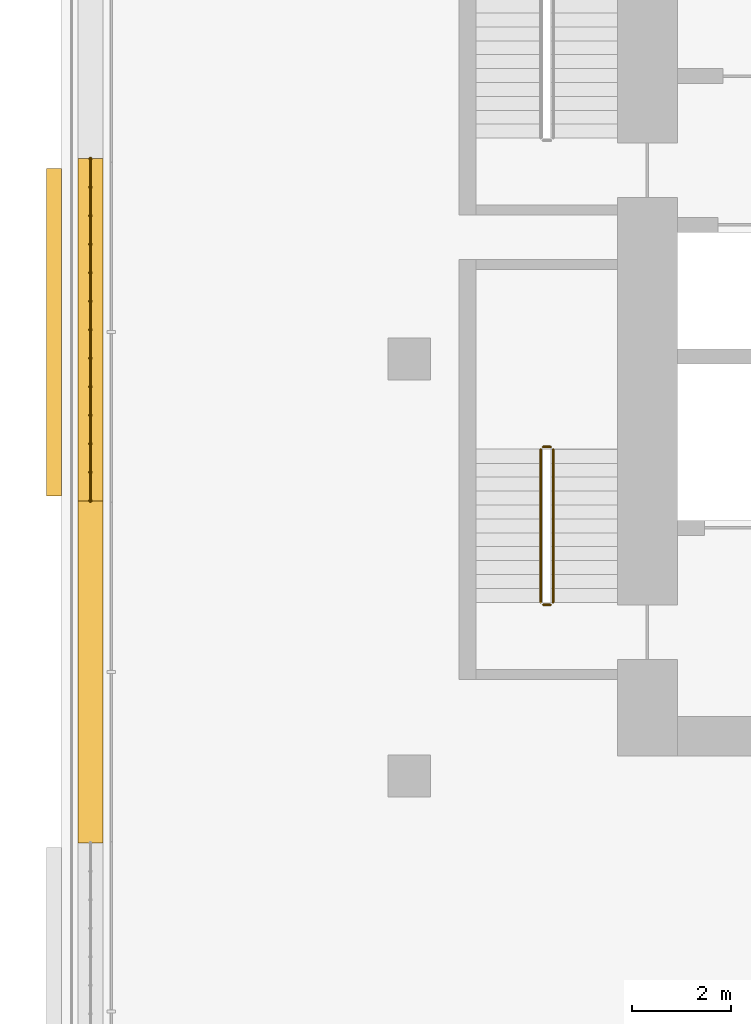
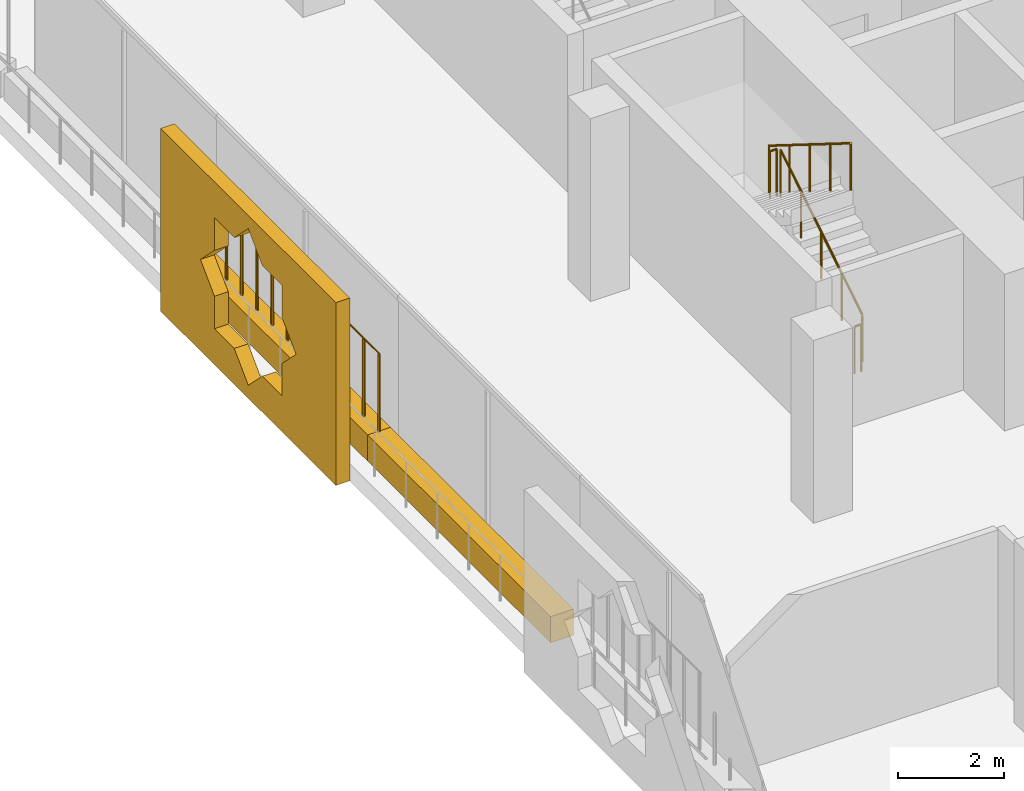
# One storey, part 15 of 21: 5 railings, 3 coverings.
"""IFC4 building model written with IfcOpenShell, lengths in metres."""

from ifc_helpers import new_model, si_unit, direction, frame, origin, origin_2d, place, context, subcontext, project, spatial, polyline, rectangle, circle, outline, extrude, material, material_profile, profile_set, type_object, element, save


model = new_model("IFC4")

# Units and contexts
model_context = context("Model", 3, precision=1e-05, world=origin(), true_north=direction((0.0, 1.0)))
body_context = subcontext(model_context, "Body", "Model", "MODEL_VIEW")
ifc_project = project(units=[si_unit("LENGTHUNIT", "METRE"), si_unit("AREAUNIT", "SQUARE_METRE"), si_unit("VOLUMEUNIT", "CUBIC_METRE"), si_unit("PLANEANGLEUNIT", "RADIAN"), si_unit("MASSUNIT", "GRAM", prefix="KILO")], contexts=[model_context])

# Site, building, storey
site_placement = place(None, origin())
site = spatial("IfcSite", under=ifc_project, at=site_placement, CompositionType="ELEMENT")
building_placement = place(site_placement, origin())
building = spatial("IfcBuilding", under=site, at=building_placement, Name="Kawkab Arch Medical Tower", CompositionType="ELEMENT")
storey_placement = place(building_placement, frame((0.0, 0.0, 260.0)))
storey = spatial("IfcBuildingStorey", under=building, at=storey_placement, Name="L60", CompositionType="ELEMENT", Elevation=260.0)

# Coverings
ifc_material_1 = material(Name="Bronze anodised aluminium mashrabiya panel, eight-point star pattern", Category="aluminium")
ifc_material_profile_1 = material_profile(ifc_material_1, outline(polyline([(-3.300048828125, -2.10009765625), (3.300048828125, -2.10009765625), (3.300048828125, 2.10009765625), (-3.300048828125, 2.10009765625), (-3.300048828125, -2.10009765625)]), holes=[polyline([(1.800048828125, 0.0), (1.272705078125, 0.527099609375), (1.272705078125, 1.272705078125), (0.527099609375, 1.272705078125), (0.0, 1.800048828125), (-0.527099609375, 1.272705078125), (-1.272705078125, 1.272705078125), (-1.272705078125, 0.527099609375), (-1.800048828125, 0.0), (-1.272705078125, -0.527099609375), (-1.272705078125, -1.272705078125), (-0.527099609375, -1.272705078125), (0.0, -1.800048828125), (0.527099609375, -1.272705078125), (1.272705078125, -1.272705078125), (1.272705078125, -0.527099609375), (1.800048828125, 0.0)])]), Name="Mashrabiya panel 6600x4200")
ifc_profile_set_1 = profile_set([ifc_material_profile_1], Name="Bronze anodised aluminium mashrabiya panel, eight-point star pattern")
covering_type_1 = type_object("IfcCoveringType", Name="Mashrabiya panel 6600 x 4200", PredefinedType="USERDEFINED", material=ifc_profile_set_1)
covering_1_placement = place(storey_placement, frame((-7.0, -16.259033203125, 1.699951171875), z_axis=(-1.0, 0.0, 0.0), x_axis=(0.0, -1.0, 0.0)))
element("IfcCovering", 1, at=covering_1_placement, inside=storey, type_object=covering_type_1, Name="Mashrabiya panel L60.LOG-01-01.4", ObjectType="SCREEN", PredefinedType="USERDEFINED", context=body_context, shape_type="SweptSolid", body=[
    extrude(outline(polyline([(-3.300048828125, -2.10009765625), (3.300048828125, -2.10009765625), (3.300048828125, 2.10009765625), (-3.300048828125, 2.10009765625), (-3.300048828125, -2.10009765625)]), holes=[polyline([(1.800048828125, 0.0), (1.272705078125, 0.527099609375), (1.272705078125, 1.272705078125), (0.527099609375, 1.272705078125), (0.0, 1.800048828125), (-0.527099609375, 1.272705078125), (-1.272705078125, 1.272705078125), (-1.272705078125, 0.527099609375), (-1.800048828125, 0.0), (-1.272705078125, -0.527099609375), (-1.272705078125, -1.272705078125), (-0.527099609375, -1.272705078125), (0.0, -1.800048828125), (0.527099609375, -1.272705078125), (1.272705078125, -1.272705078125), (1.272705078125, -0.527099609375), (1.800048828125, 0.0)])]), origin(), (0.0, 0.0, 1.0), 0.300048828125),
])
ifc_material_2 = material(Name="Planting soil in a precast trough", Category="concrete")
ifc_material_profile_2 = material_profile(ifc_material_2, rectangle(XDim=0.5, YDim=0.60009765625, at=origin_2d()), Name="Trough 500x600")
ifc_profile_set_2 = profile_set([ifc_material_profile_2], Name="Planting soil in a precast trough")
covering_type_2 = type_object("IfcCoveringType", Name="Planter trough 500 x 600", PredefinedType="USERDEFINED", material=ifc_profile_set_2)
covering_2_placement = place(storey_placement, frame((-6.419921875, -26.544921875, 0.300048828125), z_axis=(0.0, 1.0, 0.0), x_axis=(-1.0, 0.0, 0.0)))
element("IfcCovering", 2, at=covering_2_placement, inside=storey, type_object=covering_type_2, Name="Planter L60.LOG-01-01.10", ObjectType="PLANTER", PredefinedType="USERDEFINED", context=body_context, shape_type="SweptSolid", body=[
    extrude(rectangle(XDim=0.5, YDim=0.60009765625, at=origin_2d()), origin(), (0.0, 0.0, 1.0), 6.889892578125),
])
covering_3_placement = place(storey_placement, frame((-6.419921875, -19.655029296875, 0.300048828125), z_axis=(0.0, 1.0, 0.0), x_axis=(-1.0, 0.0, 0.0)))
element("IfcCovering", 3, at=covering_3_placement, inside=storey, type_object=covering_type_2, Name="Planter L60.LOG-01-01.11", ObjectType="PLANTER", PredefinedType="USERDEFINED", context=body_context, shape_type="SweptSolid", body=[
    extrude(rectangle(XDim=0.5, YDim=0.60009765625, at=origin_2d()), origin(), (0.0, 0.0, 1.0), 6.89111328125),
])

# Railings
ifc_material_3 = material(Name="Bronze anodised aluminium trellis for climbing plants", Category="aluminium")
railing_type_1 = type_object("IfcRailingType", Name="Planting trellis 2400", PredefinedType="USERDEFINED", material=ifc_material_3)
railing_1_placement = place(storey_placement, frame((-6.419921875, -19.655029296875, 0.0)))
element("IfcRailing", 4, at=railing_1_placement, inside=storey, type_object=railing_type_1, Name="Planting trellis L60.LOG-01-01.11", ObjectType="TRELLIS", PredefinedType="USERDEFINED", context=body_context, shape_type="SweptSolid", body=[
    extrude(circle(Radius=0.01513671875, at=origin_2d()), frame((0.0, 0.0, 2.384765625), z_axis=(0.0, 1.0, 0.0), x_axis=(-1.0, 0.0, 0.0)), (0.0, 0.0, 1.0), 6.89111328125),
    extrude(circle(Radius=0.030029296875, at=origin_2d()), origin(), (0.0, 0.0, 1.0), 2.369873046875),
    extrude(circle(Radius=0.030029296875, at=origin_2d()), frame((0.0, 0.57421875, 0.0)), (0.0, 0.0, 1.0), 2.369873046875),
    extrude(circle(Radius=0.030029296875, at=origin_2d()), frame((0.0, 1.1484375, 0.0)), (0.0, 0.0, 1.0), 2.369873046875),
    extrude(circle(Radius=0.030029296875, at=origin_2d()), frame((0.0, 1.72265625, 0.0)), (0.0, 0.0, 1.0), 2.369873046875),
    extrude(circle(Radius=0.030029296875, at=origin_2d()), frame((0.0, 2.297119140625, 0.0)), (0.0, 0.0, 1.0), 2.369873046875),
    extrude(circle(Radius=0.030029296875, at=origin_2d()), frame((0.0, 2.871337890625, 0.0)), (0.0, 0.0, 1.0), 2.369873046875),
    extrude(circle(Radius=0.030029296875, at=origin_2d()), frame((0.0, 3.445556640625, 0.0)), (0.0, 0.0, 1.0), 2.369873046875),
    extrude(circle(Radius=0.030029296875, at=origin_2d()), frame((0.0, 4.019775390625, 0.0)), (0.0, 0.0, 1.0), 2.369873046875),
    extrude(circle(Radius=0.030029296875, at=origin_2d()), frame((0.0, 4.593994140625, 0.0)), (0.0, 0.0, 1.0), 2.369873046875),
    extrude(circle(Radius=0.030029296875, at=origin_2d()), frame((0.0, 5.16845703125, 0.0)), (0.0, 0.0, 1.0), 2.369873046875),
    extrude(circle(Radius=0.030029296875, at=origin_2d()), frame((0.0, 5.74267578125, 0.0)), (0.0, 0.0, 1.0), 2.369873046875),
    extrude(circle(Radius=0.030029296875, at=origin_2d()), frame((0.0, 6.31689453125, 0.0)), (0.0, 0.0, 1.0), 2.369873046875),
    extrude(circle(Radius=0.030029296875, at=origin_2d()), frame((0.0, 6.89111328125, 0.0)), (0.0, 0.0, 1.0), 2.369873046875),
])
ifc_material_4 = material(Name="Stainless steel", Category="steel")
railing_type_2 = type_object("IfcRailingType", Name="Stair guard 1100", PredefinedType="GUARDRAIL", material=ifc_material_4)
railing_2_placement = place(storey_placement, frame((2.89990234375, -21.699951171875, 0.175048828125)))
element("IfcRailing", 5, at=railing_2_placement, inside=storey, type_object=railing_type_2, Name="L60 ST2 stair guard 1", PredefinedType="GUARDRAIL", context=body_context, shape_type="SweptSolid", body=[
    extrude(circle(Radius=0.02392578125, at=origin_2d()), frame((0.0, 0.0, 1.076171875), z_axis=(0.0, 0.847979421464, 0.530029150871), x_axis=(-1.0, 0.0, 0.0)), (0.0, 0.0, 1.0), 3.632080078125),
    extrude(circle(Radius=0.02099609375, at=origin_2d()), origin(), (0.0, 0.0, 1.0), 1.052001953125),
    extrude(circle(Radius=0.02099609375, at=origin_2d()), frame((0.0, 0.77001953125, 0.481201171875)), (0.0, 0.0, 1.0), 1.052001953125),
    extrude(circle(Radius=0.02099609375, at=origin_2d()), frame((0.0, 1.5400390625, 0.96240234375)), (0.0, 0.0, 1.0), 1.052001953125),
    extrude(circle(Radius=0.02099609375, at=origin_2d()), frame((0.0, 2.309814453125, 1.44384765625)), (0.0, 0.0, 1.0), 1.052001953125),
    extrude(circle(Radius=0.02099609375, at=origin_2d()), frame((0.0, 3.079833984375, 1.925048828125)), (0.0, 0.0, 1.0), 1.052001953125),
])
railing_3_placement = place(storey_placement, frame((2.85009765625, -18.570068359375, 2.10009765625)))
element("IfcRailing", 6, at=railing_3_placement, inside=storey, type_object=railing_type_2, Name="L60 ST2 stair guard 2", PredefinedType="GUARDRAIL", context=body_context, shape_type="SweptSolid", body=[
    extrude(circle(Radius=0.02392578125, at=origin_2d()), frame((0.0, 0.0, 1.076171875), z_axis=(-1.0, 0.0, 0.0), x_axis=(0.0, -1.0, 0.0)), (0.0, 0.0, 1.0), 0.150146484375),
    extrude(circle(Radius=0.02099609375, at=origin_2d()), origin(), (0.0, 0.0, 1.0), 1.052001953125),
    extrude(circle(Radius=0.02099609375, at=origin_2d()), frame((-0.150146484375, 0.0, 0.0)), (0.0, 0.0, 1.0), 1.052001953125),
])
railing_4_placement = place(storey_placement, frame((2.64990234375, -18.6201171875, 2.27490234375)))
element("IfcRailing", 7, at=railing_4_placement, inside=storey, type_object=railing_type_2, Name="L60 ST2 stair guard 3", PredefinedType="GUARDRAIL", context=body_context, shape_type="SweptSolid", body=[
    extrude(circle(Radius=0.02392578125, at=origin_2d()), frame((0.0, 0.0, 1.076171875), z_axis=(0.0, -0.847979421464, 0.530029150871), x_axis=(1.0, 0.0, 0.0)), (0.0, 0.0, 1.0), 3.632080078125),
    extrude(circle(Radius=0.02099609375, at=origin_2d()), origin(), (0.0, 0.0, 1.0), 1.052001953125),
    extrude(circle(Radius=0.02099609375, at=origin_2d()), frame((0.0, -0.77001953125, 0.481201171875)), (0.0, 0.0, 1.0), 1.052001953125),
    extrude(circle(Radius=0.02099609375, at=origin_2d()), frame((0.0, -1.5400390625, 0.96240234375)), (0.0, 0.0, 1.0), 1.052001953125),
    extrude(circle(Radius=0.02099609375, at=origin_2d()), frame((0.0, -2.309814453125, 1.44384765625)), (0.0, 0.0, 1.0), 1.052001953125),
    extrude(circle(Radius=0.02099609375, at=origin_2d()), frame((0.0, -3.079833984375, 1.925048828125)), (0.0, 0.0, 1.0), 1.052001953125),
])
railing_5_placement = place(storey_placement, frame((2.85009765625, -21.75, 0.0)))
element("IfcRailing", 8, at=railing_5_placement, inside=storey, type_object=railing_type_2, Name="L60 ST2 stair guard 4", PredefinedType="GUARDRAIL", context=body_context, shape_type="SweptSolid", body=[
    extrude(circle(Radius=0.02392578125, at=origin_2d()), frame((0.0, 0.0, 1.076171875), z_axis=(-1.0, 0.0, 0.0), x_axis=(0.0, -1.0, 0.0)), (0.0, 0.0, 1.0), 0.150146484375),
    extrude(circle(Radius=0.02099609375, at=origin_2d()), origin(), (0.0, 0.0, 1.0), 1.052001953125),
    extrude(circle(Radius=0.02099609375, at=origin_2d()), frame((-0.150146484375, 0.0, 0.0)), (0.0, 0.0, 1.0), 1.052001953125),
])

save(model, "model.ifc")
